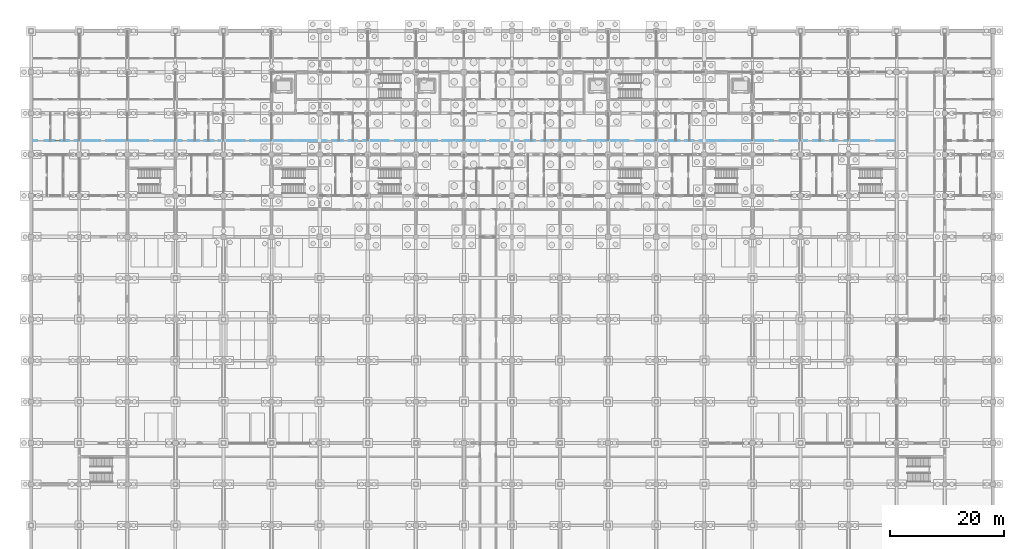
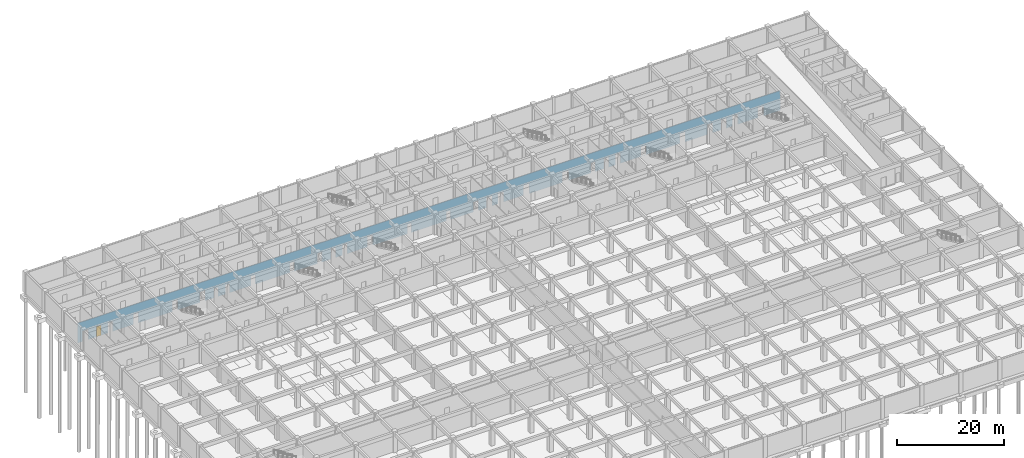
# One storey, part 42 of 85: 1 door, 30 openings, plus 1 element that does not belong to this part.
"""IFC4 building model written with IfcOpenShell, lengths in metres."""

from ifc_helpers import new_model, si_unit, direction, frame, frame_2d, origin, place, context, subcontext, project, spatial, rectangle, extrude, material, layer, layer_set, type_object, element, fill, save


model = new_model("IFC4")

# Units and contexts
model_context = context("Model", 3, precision=1e-05, world=origin(), true_north=direction((0.0, 1.0)))
body_context = subcontext(model_context, "Body", "Model", "MODEL_VIEW")
ifc_project = project(units=[si_unit("LENGTHUNIT", "METRE"), si_unit("AREAUNIT", "SQUARE_METRE"), si_unit("VOLUMEUNIT", "CUBIC_METRE"), si_unit("PLANEANGLEUNIT", "RADIAN"), si_unit("MASSUNIT", "GRAM", prefix="KILO")], contexts=[model_context])

# Site, building, storey
site_placement = place(None, origin())
site = spatial("IfcSite", under=ifc_project, at=site_placement, CompositionType="ELEMENT")
building_placement = place(site_placement, origin())
building = spatial("IfcBuilding", under=site, at=building_placement, Name="Chengyuan Square Courthouse", CompositionType="ELEMENT")
storey_placement = place(building_placement, frame((0.0, 0.0, -10.199951171875)))
storey = spatial("IfcBuildingStorey", under=building, at=storey_placement, Name="B02", CompositionType="ELEMENT", Elevation=-10.199951171875)

# Wall, openings, door
ifc_material_1 = material(Name="Gypsum Plasterboard Acoustic Stud Partition")
ifc_layer = layer(ifc_material_1, 0.10009765625)
ifc_layer_set = layer_set([ifc_layer], Name="Gypsum Plasterboard Acoustic Stud Partition")
wall_type = type_object("IfcWallType", Name="WL-PT6", PredefinedType="STANDARD", material=ifc_layer_set)
wall_placement = place(storey_placement, frame((0.0400390625, 96.0, 0.0), z_axis=(0.0, 0.0, 1.0), x_axis=(1.0, 0.0, 0.0)))
wall = element("IfcWall", 1, at=wall_placement, inside=storey, type_object=wall_type, Name="Interior Wall WL-B02-I062", PredefinedType="STANDARD", context=body_context, shape_type="SweptSolid", body=[
    extrude(rectangle(XDim=151.159912109375, YDim=0.10009765625, at=frame_2d((75.580078125, 0.0))), origin(), (0.0, 0.0, 1.0), 4.47998046875),
])
opening_1_placement = place(wall_placement, frame((1.0400390625, 0.0, 0.0)))
element("IfcOpeningElement", 2, at=opening_1_placement, cuts=wall, Name="Opening DR-148", PredefinedType="OPENING", context=body_context, shape_type="SweptSolid", body=[
    extrude(rectangle(XDim=1.280029296875, YDim=2.35009765625, at=frame_2d((0.64013671875, 1.175048828125))), frame((0.0, 0.06201171875, 0.0), z_axis=(0.0, -1.0, 0.0), x_axis=(1.0, 0.0, 0.0)), (0.0, 0.0, 1.0), 0.1240234375),
])
opening_2_placement = place(wall_placement, frame((4.090087890625, 0.0, 0.0)))
opening_2 = element("IfcOpeningElement", 3, at=opening_2_placement, cuts=wall, Name="Opening DR-149", PredefinedType="OPENING", context=body_context, shape_type="SweptSolid", body=[
    extrude(rectangle(XDim=0.93994140625, YDim=2.300048828125, at=frame_2d((0.469970703125, 1.14990234375))), frame((0.0, 0.06201171875, 0.0), z_axis=(0.0, -1.0, 0.0), x_axis=(1.0, 0.0, 0.0)), (0.0, 0.0, 1.0), 0.1240234375),
])
opening_3_placement = place(wall_placement, frame((6.570068359375, 0.0, 0.0)))
element("IfcOpeningElement", 4, at=opening_3_placement, cuts=wall, Name="Opening DR-150", PredefinedType="OPENING", context=body_context, shape_type="SweptSolid", body=[
    extrude(rectangle(XDim=0.97998046875, YDim=2.35009765625, at=frame_2d((0.489990234375, 1.175048828125))), frame((0.0, 0.06201171875, 0.0), z_axis=(0.0, -1.0, 0.0), x_axis=(1.0, 0.0, 0.0)), (0.0, 0.0, 1.0), 0.1240234375),
])
opening_4_placement = place(wall_placement, frame((12.050048828125, 0.0, 0.0)))
element("IfcOpeningElement", 5, at=opening_4_placement, cuts=wall, Name="Opening DR-151", PredefinedType="OPENING", context=body_context, shape_type="SweptSolid", body=[
    extrude(rectangle(XDim=1.02001953125, YDim=2.39990234375, at=frame_2d((0.510009765625, 1.199951171875))), frame((0.0, 0.06201171875, 0.0), z_axis=(0.0, -1.0, 0.0), x_axis=(1.0, 0.0, 0.0)), (0.0, 0.0, 1.0), 0.1240234375),
])
opening_5_placement = place(wall_placement, frame((20.429931640625, 0.0, 0.0)))
element("IfcOpeningElement", 6, at=opening_5_placement, cuts=wall, Name="Opening DR-152", PredefinedType="OPENING", context=body_context, shape_type="SweptSolid", body=[
    extrude(rectangle(XDim=1.06005859375, YDim=2.39990234375, at=frame_2d((0.530029296875, 1.199951171875))), frame((0.0, 0.06201171875, 0.0), z_axis=(0.0, -1.0, 0.0), x_axis=(1.0, 0.0, 0.0)), (0.0, 0.0, 1.0), 0.1240234375),
])
opening_6_placement = place(wall_placement, frame((26.2900390625, 0.0, 0.0)))
element("IfcOpeningElement", 7, at=opening_6_placement, cuts=wall, Name="Opening DR-153", PredefinedType="OPENING", context=body_context, shape_type="SweptSolid", body=[
    extrude(rectangle(XDim=1.139892578125, YDim=2.39990234375, at=frame_2d((0.56982421875, 1.199951171875))), frame((0.0, 0.06201171875, 0.0), z_axis=(0.0, -1.0, 0.0), x_axis=(1.0, 0.0, 0.0)), (0.0, 0.0, 1.0), 0.1240234375),
])
opening_7_placement = place(wall_placement, frame((29.31005859375, 0.0, 0.0)))
element("IfcOpeningElement", 8, at=opening_7_placement, cuts=wall, Name="Opening DR-154", PredefinedType="OPENING", context=body_context, shape_type="SweptSolid", body=[
    extrude(rectangle(XDim=0.89990234375, YDim=2.14990234375, at=frame_2d((0.449951171875, 1.074951171875))), frame((0.0, 0.06201171875, 0.0), z_axis=(0.0, -1.0, 0.0), x_axis=(1.0, 0.0, 0.0)), (0.0, 0.0, 1.0), 0.1240234375),
])
opening_8_placement = place(wall_placement, frame((31.830078125, 0.0, 0.0)))
element("IfcOpeningElement", 9, at=opening_8_placement, cuts=wall, Name="Opening DR-155", PredefinedType="OPENING", context=body_context, shape_type="SweptSolid", body=[
    extrude(rectangle(XDim=0.860107421875, YDim=2.10009765625, at=frame_2d((0.43017578125, 1.050048828125))), frame((0.0, 0.06201171875, 0.0), z_axis=(0.0, -1.0, 0.0), x_axis=(1.0, 0.0, 0.0)), (0.0, 0.0, 1.0), 0.1240234375),
])
opening_9_placement = place(wall_placement, frame((37.300048828125, 0.0, 0.0)))
element("IfcOpeningElement", 10, at=opening_9_placement, cuts=wall, Name="Opening DR-156", PredefinedType="OPENING", context=body_context, shape_type="SweptSolid", body=[
    extrude(rectangle(XDim=0.919921875, YDim=2.14990234375, at=frame_2d((0.4599609375, 1.074951171875))), frame((0.0, 0.06201171875, 0.0), z_axis=(0.0, -1.0, 0.0), x_axis=(1.0, 0.0, 0.0)), (0.0, 0.0, 1.0), 0.1240234375),
])
opening_10_placement = place(wall_placement, frame((45.679931640625, 0.0, 0.0)))
element("IfcOpeningElement", 11, at=opening_10_placement, cuts=wall, Name="Opening DR-157", PredefinedType="OPENING", context=body_context, shape_type="SweptSolid", body=[
    extrude(rectangle(XDim=0.9599609375, YDim=2.199951171875, at=frame_2d((0.47998046875, 1.10009765625))), frame((0.0, 0.06201171875, 0.0), z_axis=(0.0, -1.0, 0.0), x_axis=(1.0, 0.0, 0.0)), (0.0, 0.0, 1.0), 0.1240234375),
])
opening_11_placement = place(wall_placement, frame((51.570068359375, 0.0, 0.0)))
element("IfcOpeningElement", 12, at=opening_11_placement, cuts=wall, Name="Opening DR-167", PredefinedType="OPENING", context=body_context, shape_type="SweptSolid", body=[
    extrude(rectangle(XDim=0.97998046875, YDim=2.35009765625, at=frame_2d((0.489990234375, 1.175048828125))), frame((0.0, 0.06201171875, 0.0), z_axis=(0.0, -1.0, 0.0), x_axis=(1.0, 0.0, 0.0)), (0.0, 0.0, 1.0), 0.1240234375),
])
opening_12_placement = place(wall_placement, frame((54.449951171875, 0.0, 0.0)))
element("IfcOpeningElement", 13, at=opening_12_placement, cuts=wall, Name="Opening DR-168", PredefinedType="OPENING", context=body_context, shape_type="SweptSolid", body=[
    extrude(rectangle(XDim=1.02001953125, YDim=2.39990234375, at=frame_2d((0.510009765625, 1.199951171875))), frame((0.0, 0.06201171875, 0.0), z_axis=(0.0, -1.0, 0.0), x_axis=(1.0, 0.0, 0.0)), (0.0, 0.0, 1.0), 0.1240234375),
])
opening_13_placement = place(wall_placement, frame((56.929931640625, 0.0, 0.0)))
element("IfcOpeningElement", 14, at=opening_13_placement, cuts=wall, Name="Opening DR-169", PredefinedType="OPENING", context=body_context, shape_type="SweptSolid", body=[
    extrude(rectangle(XDim=1.06005859375, YDim=2.39990234375, at=frame_2d((0.530029296875, 1.199951171875))), frame((0.0, 0.06201171875, 0.0), z_axis=(0.0, -1.0, 0.0), x_axis=(1.0, 0.0, 0.0)), (0.0, 0.0, 1.0), 0.1240234375),
])
opening_14_placement = place(wall_placement, frame((62.389892578125, 0.0, 0.0)))
element("IfcOpeningElement", 15, at=opening_14_placement, cuts=wall, Name="Opening DR-170", PredefinedType="OPENING", context=body_context, shape_type="SweptSolid", body=[
    extrude(rectangle(XDim=1.139892578125, YDim=2.39990234375, at=frame_2d((0.56982421875, 1.199951171875))), frame((0.0, 0.06201171875, 0.0), z_axis=(0.0, -1.0, 0.0), x_axis=(1.0, 0.0, 0.0)), (0.0, 0.0, 1.0), 0.1240234375),
])
opening_15_placement = place(wall_placement, frame((70.909912109375, 0.0, 0.0)))
element("IfcOpeningElement", 16, at=opening_15_placement, cuts=wall, Name="Opening DR-171", PredefinedType="OPENING", context=body_context, shape_type="SweptSolid", body=[
    extrude(rectangle(XDim=0.89990234375, YDim=2.14990234375, at=frame_2d((0.449951171875, 1.074951171875))), frame((0.0, 0.06201171875, 0.0), z_axis=(0.0, -1.0, 0.0), x_axis=(1.0, 0.0, 0.0)), (0.0, 0.0, 1.0), 0.1240234375),
])
opening_16_placement = place(wall_placement, frame((79.330078125, 0.0, 0.0)))
element("IfcOpeningElement", 17, at=opening_16_placement, cuts=wall, Name="Opening DR-172", PredefinedType="OPENING", context=body_context, shape_type="SweptSolid", body=[
    extrude(rectangle(XDim=0.860107421875, YDim=2.10009765625, at=frame_2d((0.43017578125, 1.050048828125))), frame((0.0, 0.06201171875, 0.0), z_axis=(0.0, -1.0, 0.0), x_axis=(1.0, 0.0, 0.0)), (0.0, 0.0, 1.0), 0.1240234375),
])
opening_17_placement = place(wall_placement, frame((85.10009765625, 0.0, 0.0)))
element("IfcOpeningElement", 18, at=opening_17_placement, cuts=wall, Name="Opening DR-178", PredefinedType="OPENING", context=body_context, shape_type="SweptSolid", body=[
    extrude(rectangle(XDim=1.1201171875, YDim=2.25, at=frame_2d((0.56005859375, 1.125))), frame((0.0, 0.06201171875, 0.0), z_axis=(0.0, -1.0, 0.0), x_axis=(1.0, 0.0, 0.0)), (0.0, 0.0, 1.0), 0.1240234375),
])
opening_18_placement = place(wall_placement, frame((87.97998046875, 0.0, 0.0)))
element("IfcOpeningElement", 19, at=opening_18_placement, cuts=wall, Name="Opening DR-179", PredefinedType="OPENING", context=body_context, shape_type="SweptSolid", body=[
    extrude(rectangle(XDim=1.159912109375, YDim=2.300048828125, at=frame_2d((0.580078125, 1.14990234375))), frame((0.0, 0.06201171875, 0.0), z_axis=(0.0, -1.0, 0.0), x_axis=(1.0, 0.0, 0.0)), (0.0, 0.0, 1.0), 0.1240234375),
])
opening_19_placement = place(wall_placement, frame((90.4599609375, 0.0, 0.0)))
element("IfcOpeningElement", 20, at=opening_19_placement, cuts=wall, Name="Opening DR-180", PredefinedType="OPENING", context=body_context, shape_type="SweptSolid", body=[
    extrude(rectangle(XDim=1.199951171875, YDim=2.35009765625, at=frame_2d((0.60009765625, 1.175048828125))), frame((0.0, 0.06201171875, 0.0), z_axis=(0.0, -1.0, 0.0), x_axis=(1.0, 0.0, 0.0)), (0.0, 0.0, 1.0), 0.1240234375),
])
opening_20_placement = place(wall_placement, frame((95.93994140625, 0.0, 0.0)))
element("IfcOpeningElement", 21, at=opening_20_placement, cuts=wall, Name="Opening DR-181", PredefinedType="OPENING", context=body_context, shape_type="SweptSolid", body=[
    extrude(rectangle(XDim=1.239990234375, YDim=2.300048828125, at=frame_2d((0.6201171875, 1.14990234375))), frame((0.0, 0.06201171875, 0.0), z_axis=(0.0, -1.0, 0.0), x_axis=(1.0, 0.0, 0.0)), (0.0, 0.0, 1.0), 0.1240234375),
])
opening_21_placement = place(wall_placement, frame((104.320068359375, 0.0, 0.0)))
element("IfcOpeningElement", 22, at=opening_21_placement, cuts=wall, Name="Opening DR-182", PredefinedType="OPENING", context=body_context, shape_type="SweptSolid", body=[
    extrude(rectangle(XDim=1.280029296875, YDim=2.35009765625, at=frame_2d((0.64013671875, 1.175048828125))), frame((0.0, 0.06201171875, 0.0), z_axis=(0.0, -1.0, 0.0), x_axis=(1.0, 0.0, 0.0)), (0.0, 0.0, 1.0), 0.1240234375),
])
opening_22_placement = place(wall_placement, frame((110.389892578125, 0.0, 0.0)))
element("IfcOpeningElement", 23, at=opening_22_placement, cuts=wall, Name="Opening DR-183", PredefinedType="OPENING", context=body_context, shape_type="SweptSolid", body=[
    extrude(rectangle(XDim=0.93994140625, YDim=2.300048828125, at=frame_2d((0.469970703125, 1.14990234375))), frame((0.0, 0.06201171875, 0.0), z_axis=(0.0, -1.0, 0.0), x_axis=(1.0, 0.0, 0.0)), (0.0, 0.0, 1.0), 0.1240234375),
])
opening_23_placement = place(wall_placement, frame((113.27001953125, 0.0, 0.0)))
element("IfcOpeningElement", 24, at=opening_23_placement, cuts=wall, Name="Opening DR-184", PredefinedType="OPENING", context=body_context, shape_type="SweptSolid", body=[
    extrude(rectangle(XDim=0.97998046875, YDim=2.35009765625, at=frame_2d((0.489990234375, 1.175048828125))), frame((0.0, 0.06201171875, 0.0), z_axis=(0.0, -1.0, 0.0), x_axis=(1.0, 0.0, 0.0)), (0.0, 0.0, 1.0), 0.1240234375),
])
opening_24_placement = place(wall_placement, frame((115.75, 0.0, 0.0)))
element("IfcOpeningElement", 25, at=opening_24_placement, cuts=wall, Name="Opening DR-185", PredefinedType="OPENING", context=body_context, shape_type="SweptSolid", body=[
    extrude(rectangle(XDim=1.02001953125, YDim=2.39990234375, at=frame_2d((0.510009765625, 1.199951171875))), frame((0.0, 0.06201171875, 0.0), z_axis=(0.0, -1.0, 0.0), x_axis=(1.0, 0.0, 0.0)), (0.0, 0.0, 1.0), 0.1240234375),
])
opening_25_placement = place(wall_placement, frame((121.239990234375, 0.0, 0.0)))
element("IfcOpeningElement", 26, at=opening_25_placement, cuts=wall, Name="Opening DR-193", PredefinedType="OPENING", context=body_context, shape_type="SweptSolid", body=[
    extrude(rectangle(XDim=1.0400390625, YDim=2.199951171875, at=frame_2d((0.52001953125, 1.10009765625))), frame((0.0, 0.06201171875, 0.0), z_axis=(0.0, -1.0, 0.0), x_axis=(1.0, 0.0, 0.0)), (0.0, 0.0, 1.0), 0.1240234375),
])
opening_26_placement = place(wall_placement, frame((129.6201171875, 0.0, 0.0)))
element("IfcOpeningElement", 27, at=opening_26_placement, cuts=wall, Name="Opening DR-194", PredefinedType="OPENING", context=body_context, shape_type="SweptSolid", body=[
    extrude(rectangle(XDim=1.080078125, YDim=2.25, at=frame_2d((0.5400390625, 1.125))), frame((0.0, 0.06201171875, 0.0), z_axis=(0.0, -1.0, 0.0), x_axis=(1.0, 0.0, 0.0)), (0.0, 0.0, 1.0), 0.1240234375),
])
opening_27_placement = place(wall_placement, frame((135.5, 0.0, 0.0)))
element("IfcOpeningElement", 28, at=opening_27_placement, cuts=wall, Name="Opening DR-195", PredefinedType="OPENING", context=body_context, shape_type="SweptSolid", body=[
    extrude(rectangle(XDim=1.1201171875, YDim=2.25, at=frame_2d((0.56005859375, 1.125))), frame((0.0, 0.06201171875, 0.0), z_axis=(0.0, -1.0, 0.0), x_axis=(1.0, 0.0, 0.0)), (0.0, 0.0, 1.0), 0.1240234375),
])
opening_28_placement = place(wall_placement, frame((138.3798828125, 0.0, 0.0)))
element("IfcOpeningElement", 29, at=opening_28_placement, cuts=wall, Name="Opening DR-196", PredefinedType="OPENING", context=body_context, shape_type="SweptSolid", body=[
    extrude(rectangle(XDim=1.159912109375, YDim=2.300048828125, at=frame_2d((0.580078125, 1.14990234375))), frame((0.0, 0.06201171875, 0.0), z_axis=(0.0, -1.0, 0.0), x_axis=(1.0, 0.0, 0.0)), (0.0, 0.0, 1.0), 0.1240234375),
])
opening_29_placement = place(wall_placement, frame((140.860107421875, 0.0, 0.0)))
element("IfcOpeningElement", 30, at=opening_29_placement, cuts=wall, Name="Opening DR-197", PredefinedType="OPENING", context=body_context, shape_type="SweptSolid", body=[
    extrude(rectangle(XDim=1.199951171875, YDim=2.35009765625, at=frame_2d((0.60009765625, 1.175048828125))), frame((0.0, 0.06201171875, 0.0), z_axis=(0.0, -1.0, 0.0), x_axis=(1.0, 0.0, 0.0)), (0.0, 0.0, 1.0), 0.1240234375),
])
opening_30_placement = place(wall_placement, frame((146.340087890625, 0.0, 0.0)))
element("IfcOpeningElement", 31, at=opening_30_placement, cuts=wall, Name="Opening DR-198", PredefinedType="OPENING", context=body_context, shape_type="SweptSolid", body=[
    extrude(rectangle(XDim=1.239990234375, YDim=2.300048828125, at=frame_2d((0.6201171875, 1.14990234375))), frame((0.0, 0.06201171875, 0.0), z_axis=(0.0, -1.0, 0.0), x_axis=(1.0, 0.0, 0.0)), (0.0, 0.0, 1.0), 0.1240234375),
])
ifc_material_2 = material(Name="Acoustic Solid-Core Timber Door", Category="wood")
door_type = type_object("IfcDoorType", Name="DT-39", OperationType="NOTDEFINED", PredefinedType="DOOR", material=ifc_material_2)
door_placement = place(opening_2_placement, origin())
door = element("IfcDoor", 32, at=door_placement, inside=storey, type_object=door_type, Name="Interior Door DR-149", OperationType="SINGLE_SWING_RIGHT", OverallHeight=2.300048828125, OverallWidth=0.93994140625, PredefinedType="DOOR", context=body_context, shape_type="SweptSolid", body=[
    extrude(rectangle(XDim=0.93994140625, YDim=2.300048828125, at=frame_2d((0.469970703125, 1.14990234375))), frame((0.0, 0.02490234375, 0.0), z_axis=(0.0, -1.0, 0.0), x_axis=(1.0, 0.0, 0.0)), (0.0, 0.0, 1.0), 0.050048828125),
])
fill(opening_2, door)

save(model, "model.ifc")
